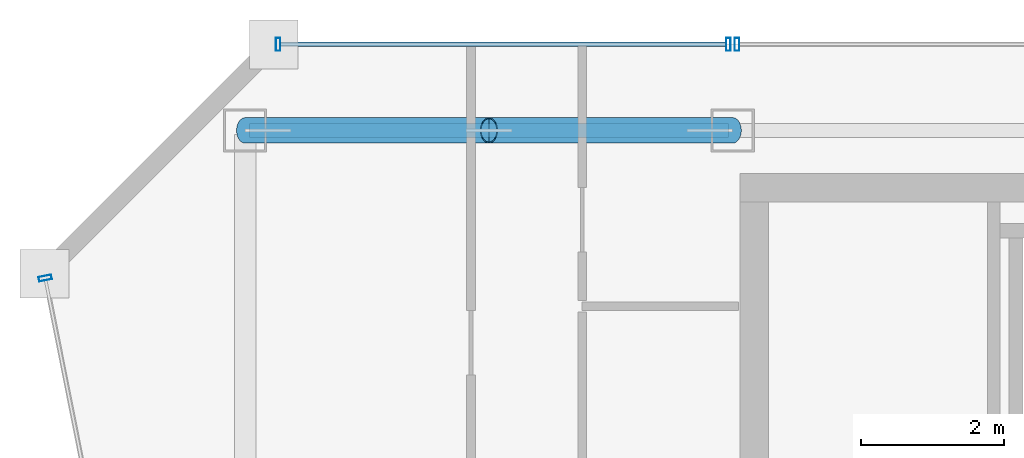
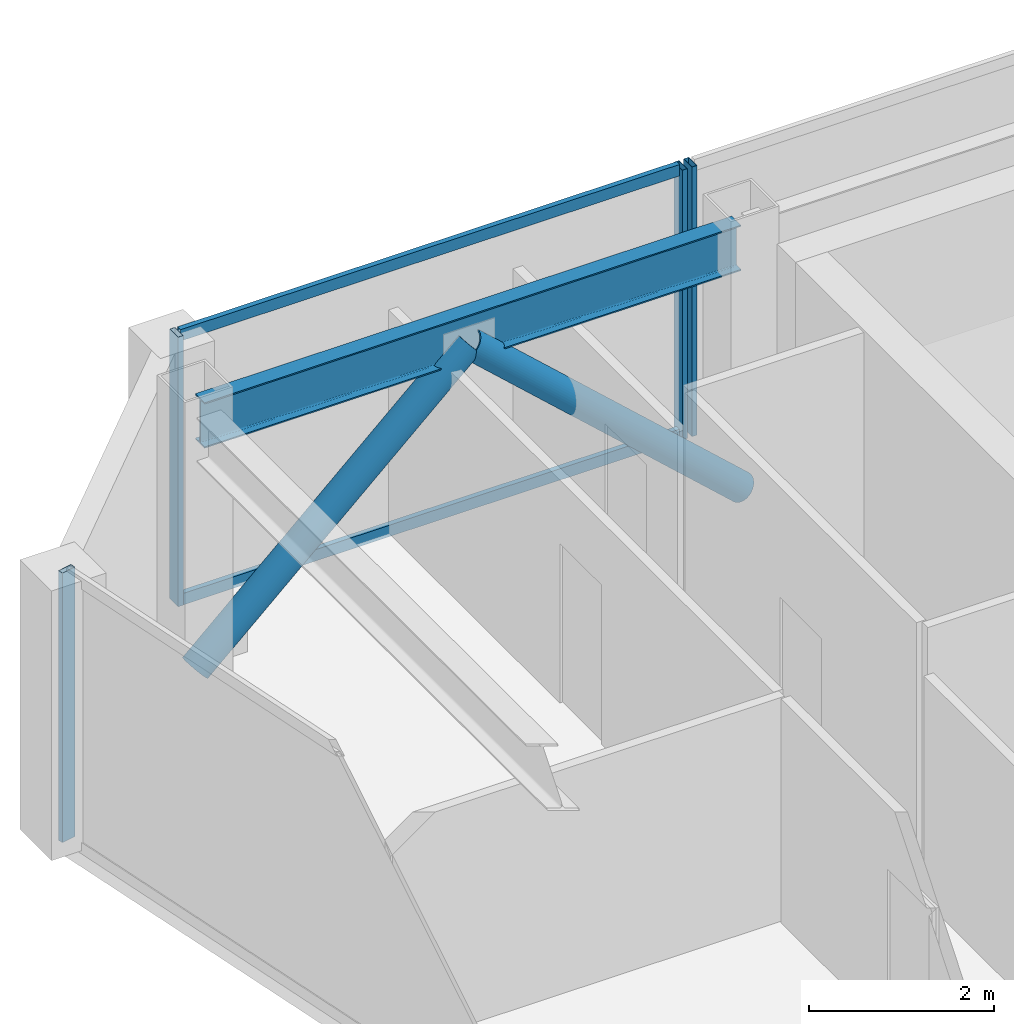
# One storey, part 9 of 24: 8 members, 1 beam, 3 elements without a shape of their own.
"""IFC4 building model written with IfcOpenShell, lengths in metres."""

from ifc_helpers import new_model, si_unit, direction, frame, origin, origin_2d, place, context, subcontext, project, spatial, hollow_rectangle, hollow_circle, i_section, extrude, material, material_profile, profile_set, type_object, element, aggregate, save


model = new_model("IFC4")

# Units and contexts
model_context = context("Model", 3, precision=1e-05, world=origin(), true_north=direction((0.0, 1.0)))
body_context = subcontext(model_context, "Body", "Model", "MODEL_VIEW")
ifc_project = project(units=[si_unit("LENGTHUNIT", "METRE"), si_unit("AREAUNIT", "SQUARE_METRE"), si_unit("VOLUMEUNIT", "CUBIC_METRE"), si_unit("PLANEANGLEUNIT", "RADIAN"), si_unit("MASSUNIT", "GRAM", prefix="KILO")], contexts=[model_context])

# Site, building, storey
site_placement = place(None, origin())
site = spatial("IfcSite", under=ifc_project, at=site_placement, CompositionType="ELEMENT")
building_placement = place(site_placement, origin())
building = spatial("IfcBuilding", under=site, at=building_placement, Name="Saevonmaru Cultural Tower", CompositionType="ELEMENT")
storey_placement = place(building_placement, frame((0.0, 0.0, 306.60009765625)))
storey = spatial("IfcBuildingStorey", under=building, at=storey_placement, Name="L73", CompositionType="ELEMENT", Elevation=306.60009765625)

# Beam
ifc_material_1 = material(Name="Steel SM355", Category="steel")
ifc_material_profile_1 = material_profile(ifc_material_1, i_section(OverallWidth=0.199951171875, OverallDepth=0.60009765625, WebThickness=0.010986328125, FlangeThickness=0.01708984375, FilletRadius=0.02197265625, at=origin_2d()), Name="H-600x200x11x17")
ifc_profile_set_1 = profile_set([ifc_material_profile_1], Name="Steel SM355")
beam_type = type_object("IfcBeamType", Name="BM-SP-H600", PredefinedType="SPANDREL", material=ifc_profile_set_1)
beam_placement = place(storey_placement, frame((6.860107421875, 54.800048828125, 3.25), z_axis=(1.0, 0.0, 0.0), x_axis=(0.0, 1.0, 0.0)))
element("IfcBeam", 1, at=beam_placement, inside=storey, type_object=beam_type, Name="L73 North Spine Girder 1", PredefinedType="SPANDREL", context=body_context, shape_type="SweptSolid", body=[
    extrude(i_section(OverallWidth=0.199951171875, OverallDepth=0.60009765625, WebThickness=0.010986328125, FlangeThickness=0.01708984375, FilletRadius=0.02197265625, at=origin_2d()), origin(), (0.0, 0.0, 1.0), 6.679931640625),
])

# Members
ifc_material_profile_2 = material_profile(ifc_material_1, hollow_circle(Radius=0.177734375, WallThickness=0.01611328125, at=origin_2d()), Name="CHS-355.6x16")
ifc_profile_set_2 = profile_set([ifc_material_profile_2], Name="Steel SM355")
member_type_1 = type_object("IfcMemberType", Name="MB-PBR-CHS356", PredefinedType="BRACE", material=ifc_profile_set_2)
member_1_placement = place(storey_placement, frame((6.800048828125, 54.800048828125, 0.02001953125), z_axis=(0.738962060105, 0.0, 0.673747039864), x_axis=(0.0, 1.0, 0.0)))
element("IfcMember", 2, at=member_1_placement, inside=storey, type_object=member_type_1, Name="L73 Perimeter Braced-Tube Diagonal WN1", PredefinedType="BRACE", context=body_context, shape_type="SweptSolid", body=[
    extrude(hollow_circle(Radius=0.177734375, WallThickness=0.01611328125, at=origin_2d()), origin(), (0.0, 0.0, 1.0), 4.600830078125),
])
member_2_placement = place(storey_placement, frame((13.60009765625, 54.800048828125, 0.02001953125), z_axis=(-0.738986146064, 0.0, 0.673720621568), x_axis=(0.0, -1.0, 0.0)))
element("IfcMember", 3, at=member_2_placement, inside=storey, type_object=member_type_1, Name="L73 Perimeter Braced-Tube Diagonal WN2", PredefinedType="BRACE", context=body_context, shape_type="SweptSolid", body=[
    extrude(hollow_circle(Radius=0.177734375, WallThickness=0.01611328125, at=origin_2d()), origin(), (0.0, 0.0, 1.0), 4.60107421875),
])

# Curtain wall, member
ifc_material_2 = material(Name="Satin Bronze Anodised Aluminium", Category="aluminium")
curtain_wall_type = type_object("IfcCurtainWallType", Name="CW-TYP-B", PredefinedType="NOTDEFINED", material=ifc_material_2)
curtain_wall_1_placement = place(storey_placement, origin())
curtain_wall_1 = element("IfcCurtainWall", 4, at=curtain_wall_1_placement, inside=storey, type_object=curtain_wall_type, Name="L73 North Spine Unitised Curtain Wall E10B", PredefinedType="NOTDEFINED")
ifc_material_profile_3 = material_profile(ifc_material_2, hollow_rectangle(XDim=0.06494140625, YDim=0.179931640625, WallThickness=0.00390625, at=origin_2d()), Name="ALU-MULL-180x65x4")
ifc_profile_set_3 = profile_set([ifc_material_profile_3], Name="Satin Bronze Anodised Aluminium")
member_type_2 = type_object("IfcMemberType", Name="ML-CW-180x65", PredefinedType="MULLION", material=ifc_profile_set_3)
member_3_placement = place(storey_placement, frame((13.659912109375, 56.0, 0.0), z_axis=(0.0, 0.0, 1.0), x_axis=(-1.0, 0.0, 0.0)))
member_3 = element("IfcMember", 5, at=member_3_placement, type_object=member_type_2, Name="CW-TW-L73-E10B mullion 4", PredefinedType="MULLION", context=body_context, shape_type="SweptSolid", body=[
    extrude(hollow_rectangle(XDim=0.06494140625, YDim=0.179931640625, WallThickness=0.00390625, at=origin_2d()), origin(), (0.0, 0.0, 1.0), 3.5498046875),
])
aggregate(curtain_wall_1, [member_3])

# Curtain wall, members
curtain_wall_2_placement = place(storey_placement, origin())
curtain_wall_2 = element("IfcCurtainWall", 6, at=curtain_wall_2_placement, inside=storey, type_object=curtain_wall_type, Name="L73 West Braced Bay Spandrel Curtain Wall E10C", PredefinedType="NOTDEFINED")
member_4_placement = place(storey_placement, frame((13.5400390625, 56.0, 0.0), z_axis=(0.0, 0.0, 1.0), x_axis=(-1.0, 0.0, 0.0)))
member_4 = element("IfcMember", 7, at=member_4_placement, type_object=member_type_2, Name="CW-TW-L73-E10C mullion 1", PredefinedType="MULLION", context=body_context, shape_type="SweptSolid", body=[
    extrude(hollow_rectangle(XDim=0.06494140625, YDim=0.179931640625, WallThickness=0.00390625, at=origin_2d()), origin(), (0.0, 0.0, 1.0), 3.5498046875),
])
member_5_placement = place(storey_placement, frame((7.260009765625, 56.0, 0.0), z_axis=(0.0, 0.0, 1.0), x_axis=(-1.0, 0.0, 0.0)))
member_5 = element("IfcMember", 8, at=member_5_placement, type_object=member_type_2, Name="CW-TW-L73-E10C mullion 2", PredefinedType="MULLION", context=body_context, shape_type="SweptSolid", body=[
    extrude(hollow_rectangle(XDim=0.06494140625, YDim=0.179931640625, WallThickness=0.00390625, at=origin_2d()), origin(), (0.0, 0.0, 1.0), 3.5498046875),
])

# Curtain wall, member
curtain_wall_3_placement = place(storey_placement, origin())
curtain_wall_3 = element("IfcCurtainWall", 9, at=curtain_wall_3_placement, inside=storey, type_object=curtain_wall_type, Name="L73 Unitised Curtain Wall E12", PredefinedType="NOTDEFINED")
member_6_placement = place(storey_placement, frame((4.01171875, 52.7412109375, 0.0), z_axis=(0.0, 0.0, 1.0), x_axis=(0.195005484813, -0.980802151758, 0.0)))
member_6 = element("IfcMember", 10, at=member_6_placement, type_object=member_type_2, Name="CW-TW-L73-E12 mullion 1", PredefinedType="MULLION", context=body_context, shape_type="SweptSolid", body=[
    extrude(hollow_rectangle(XDim=0.06494140625, YDim=0.179931640625, WallThickness=0.00390625, at=origin_2d()), origin(), (0.0, 0.0, 1.0), 3.5498046875),
])
aggregate(curtain_wall_3, [member_6])

# Member
ifc_material_profile_4 = material_profile(ifc_material_2, hollow_rectangle(XDim=0.06494140625, YDim=0.14990234375, WallThickness=0.00390625, at=origin_2d()), Name="ALU-TRAN-150x65x4")
ifc_profile_set_4 = profile_set([ifc_material_profile_4], Name="Satin Bronze Anodised Aluminium")
member_type_3 = type_object("IfcMemberType", Name="TR-CW-150x65", PredefinedType="USERDEFINED", material=ifc_profile_set_4)
member_7_placement = place(storey_placement, frame((13.507568359375, 56.0, 0.032470703125), z_axis=(-1.0, 0.0, 0.0), x_axis=(0.0, -1.0, 0.0)))
member_7 = element("IfcMember", 11, at=member_7_placement, type_object=member_type_3, Name="CW-TW-L73-E10C transom 1.1", ObjectType="TRANSOM", PredefinedType="USERDEFINED", context=body_context, shape_type="SweptSolid", body=[
    extrude(hollow_rectangle(XDim=0.06494140625, YDim=0.14990234375, WallThickness=0.00390625, at=origin_2d()), origin(), (0.0, 0.0, 1.0), 6.215087890625),
])

member_8_placement = place(storey_placement, frame((13.507568359375, 56.0, 3.517333984375), z_axis=(-1.0, 0.0, 0.0), x_axis=(0.0, -1.0, 0.0)))
member_8 = element("IfcMember", 12, at=member_8_placement, type_object=member_type_3, Name="CW-TW-L73-E10C transom 1.2", ObjectType="TRANSOM", PredefinedType="USERDEFINED", context=body_context, shape_type="SweptSolid", body=[
    extrude(hollow_rectangle(XDim=0.06494140625, YDim=0.14990234375, WallThickness=0.00390625, at=origin_2d()), origin(), (0.0, 0.0, 1.0), 6.215087890625),
])

aggregate(curtain_wall_2, [member_4, member_5, member_7, member_8])

save(model, "model.ifc")
